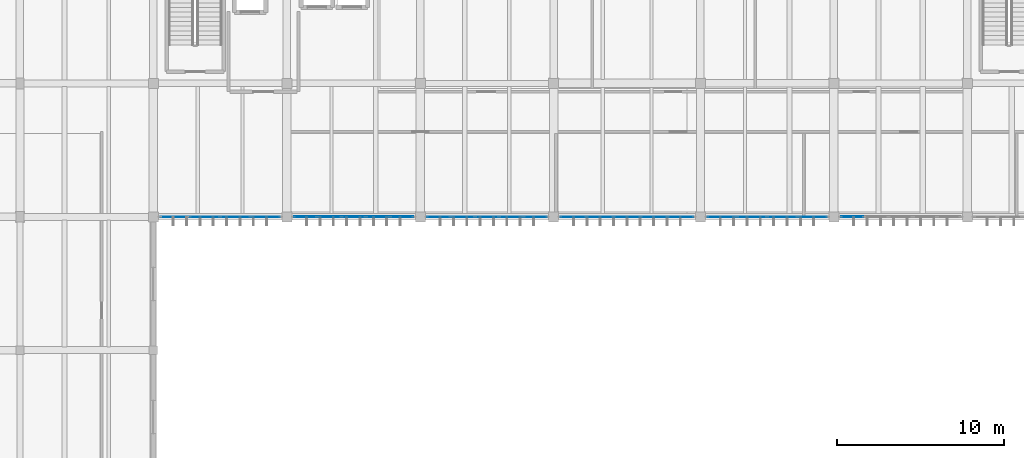
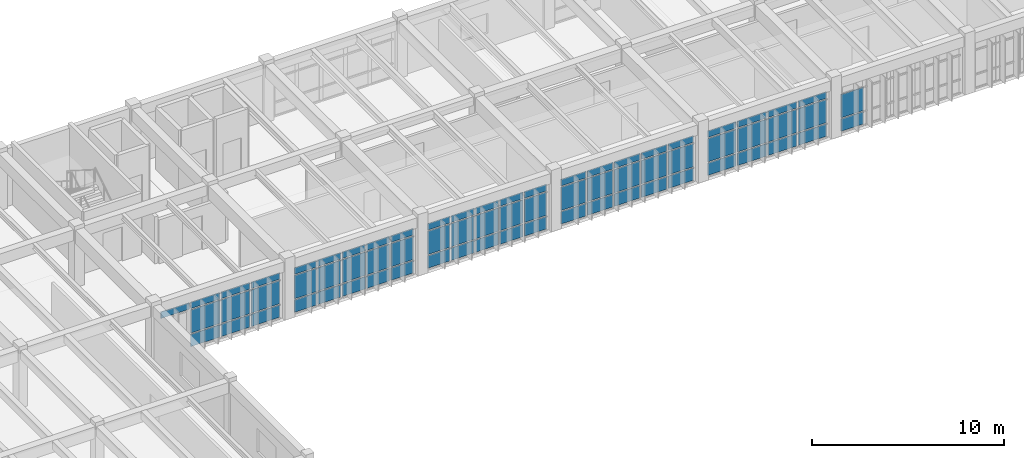
# One storey, part 12 of 22: 69 plates, 6 elements without a shape of their own.
"""IFC4 building model written with IfcOpenShell, lengths in metres."""

import ifcopenshell
import ifcopenshell.guid

model = None  # the IFC model being written
_history = None  # IfcOwnerHistory: only IFC2X3 demands one
_inside = {}  # id of a spatial element -> (the spatial element, [elements in it])
_under = {}  # id of a project, library or spatial element -> (it, [spatial elements below it])
_declared = {}  # id of a project -> (the project, [libraries it declares])
_typed = {}  # id of a type object -> (the type object, [elements of that type])
_made_of = {}  # id of a material, layer set ... -> (it, [elements and type objects made of it])


def new_model(schema):
    """Start an empty IFC model of exactly this schema.

    Asked for "IFC4X3", IfcOpenShell would pick the latest addendum, in which some entities
    have other attributes; the version numbers below select the first issue.
    IFC2X3 requires an IfcOwnerHistory on every rooted entity: one is made here for all.
    """
    global model, _history
    if schema == "IFC4X3":
        model = ifcopenshell.file(schema_version=(4, 3, 0, 0))
    else:
        model = ifcopenshell.file(schema=schema)
    _inside.clear()
    _under.clear()
    _declared.clear()
    _typed.clear()
    _made_of.clear()
    _history = None
    if model.schema == "IFC2X3":
        org = make("IfcOrganization", Name="unknown")
        user = make(
            "IfcPersonAndOrganization",
            ThePerson=make("IfcPerson", FamilyName="unknown"),
            TheOrganization=org,
        )
        app = make(
            "IfcApplication",
            ApplicationDeveloper=org,
            Version="unknown",
            ApplicationFullName="unknown",
            ApplicationIdentifier="unknown",
        )
        _history = make(
            "IfcOwnerHistory",
            OwningUser=user,
            OwningApplication=app,
            ChangeAction="ADDED",
            CreationDate=0,
        )
    return model


def make(cls, **values):
    """One entity of the class cls with the attributes given. An attribute that is None is left unset."""
    return model.create_entity(
        cls, **{name: value for name, value in values.items() if value is not None}
    )


def rooted(cls, **values):
    """An entity with a GlobalId (a new one), such as an element, a storey or a relation."""
    return make(cls, GlobalId=ifcopenshell.guid.new(), OwnerHistory=_history, **values)


def si_unit(unit_type, name, prefix=None):
    """IfcSIUnit, for example si_unit("LENGTHUNIT", "METRE", prefix="MILLI")."""
    return make("IfcSIUnit", UnitType=unit_type, Prefix=prefix, Name=name)


def assignment(units):
    """IfcUnitAssignment: the units of a project."""
    return None if units is None else make("IfcUnitAssignment", Units=units)


def point(xyz):
    """IfcCartesianPoint."""
    return None if xyz is None else make("IfcCartesianPoint", Coordinates=xyz)


def direction(xyz):
    """IfcDirection."""
    return None if xyz is None else make("IfcDirection", DirectionRatios=xyz)


def frame(location, z_axis=None, x_axis=None):
    """IfcAxis2Placement3D, a coordinate frame: its origin and axes. An axis left out is left unset."""
    return make(
        "IfcAxis2Placement3D",
        Location=point(location),
        Axis=direction(z_axis),
        RefDirection=direction(x_axis),
    )


def frame_2d(location, x_axis=None):
    """IfcAxis2Placement2D, a coordinate frame in the plane: its origin and x axis."""
    return make(
        "IfcAxis2Placement2D", Location=point(location), RefDirection=direction(x_axis)
    )


def origin():
    """The frame at (0, 0, 0) with its axes left unset."""
    return frame((0.0, 0.0, 0.0))


def origin_2d():
    """The frame at (0, 0) in the plane with its x axis left unset."""
    return frame_2d((0.0, 0.0))


def place(relative_to, where):
    """IfcLocalPlacement: puts the frame where relative to a parent placement (None: the world)."""
    return make(
        "IfcLocalPlacement", PlacementRelTo=relative_to, RelativePlacement=where
    )


def context(
    kind, dimensions, precision=None, world=None, true_north=None, identifier=None
):
    """IfcGeometricRepresentationContext, for example the 3D "Model" context."""
    return make(
        "IfcGeometricRepresentationContext",
        ContextIdentifier=identifier,
        ContextType=kind,
        CoordinateSpaceDimension=dimensions,
        Precision=precision,
        WorldCoordinateSystem=world,
        TrueNorth=true_north,
    )


def subcontext(parent, identifier, kind, view, scale=None):
    """IfcGeometricRepresentationSubContext, for example "Body" below "Model"."""
    return make(
        "IfcGeometricRepresentationSubContext",
        ContextIdentifier=identifier,
        ContextType=kind,
        ParentContext=parent,
        TargetScale=scale,
        TargetView=view,
    )


def project(units=None, contexts=None):
    """IfcProject with its units and contexts."""
    return rooted(
        "IfcProject",
        Name="project",
        RepresentationContexts=contexts,
        UnitsInContext=assignment(units),
    )


def spatial(cls, under=None, at=None, **own):
    """A site, building, storey or space (cls), placed at a placement, below another one or the project."""
    s = rooted(cls, ObjectPlacement=at, **own)
    if under is not None:
        _under.setdefault(under.id(), (under, []))[1].append(s)
    return s


def profile(cls, at=None, kind="AREA", **sizes):
    """A parametric profile (cls). Its sizes go by their IFC names, for example OverallWidth=200.0."""
    return make(cls, ProfileType=kind, Position=at, **sizes)


def rectangle(**sizes):
    """IfcRectangleProfileDef."""
    return profile("IfcRectangleProfileDef", **sizes)


def extrude(swept, where, along, depth):
    """IfcExtrudedAreaSolid: the profile swept, set in the frame where, extruded along a direction by depth."""
    return make(
        "IfcExtrudedAreaSolid",
        SweptArea=swept,
        Position=where,
        ExtrudedDirection=direction(along),
        Depth=depth,
    )


def shape(context_of_items, identifier, shape_type, items):
    """IfcShapeRepresentation: the items that make up one representation, for example the "Body"."""
    return make(
        "IfcShapeRepresentation",
        ContextOfItems=context_of_items,
        RepresentationIdentifier=identifier,
        RepresentationType=shape_type,
        Items=items,
    )


def material(Name=None, Category=None):
    """IfcMaterial."""
    return make("IfcMaterial", Name=Name, Category=Category)


def layer(
    of_material, thickness, ventilated=None, Name=None, Category=None, Priority=None
):
    """IfcMaterialLayer: one layer of a wall or slab, of a material (None: an air gap)."""
    return make(
        "IfcMaterialLayer",
        Material=of_material,
        LayerThickness=thickness,
        IsVentilated=ventilated,
        Name=Name,
        Category=Category,
        Priority=Priority,
    )


def layer_set(layers, Name=None):
    """IfcMaterialLayerSet."""
    return make("IfcMaterialLayerSet", MaterialLayers=layers, LayerSetName=Name)


def made_of(thing, what):
    """Note that an element or type object is made of a material, layer set ...; save() writes the relation."""
    if what is not None:
        _made_of.setdefault(what.id(), (what, []))[1].append(thing)
    return thing


def type_object(cls, material=None, **own):
    """A type object (cls), such as IfcWallType, which elements share."""
    return made_of(rooted(cls, **own), material)


def element(
    cls,
    number,
    at=None,
    inside=None,
    cuts=None,
    type_object=None,
    material=None,
    context=None,
    identifier="Body",
    shape_type=None,
    held_by="IfcProductDefinitionShape",
    body=None,
    shapes=None,
    **own,
):
    """One element of the class cls, such as IfcWall. Its Tag is "e" and its number.

    at: its placement. inside: the storey or other place that contains it. cuts: it is an
    opening in that element (IfcRelVoidsElement). A single representation is given by context,
    identifier, shape_type and body (its items); several are given by shapes. held_by: the class
    of the entity that holds the representations. save() writes the other relations.
    """
    e = rooted(cls, Tag="e%d" % number, ObjectPlacement=at, **own)
    if body is not None:
        shapes = [shape(context, identifier, shape_type, body)]
    if shapes is not None:
        e.Representation = make(held_by, Representations=shapes)
    if inside is not None:
        _inside.setdefault(inside.id(), (inside, []))[1].append(e)
    if cuts is not None:
        rooted(
            "IfcRelVoidsElement", RelatingBuildingElement=cuts, RelatedOpeningElement=e
        )
    if type_object is not None:
        _typed.setdefault(type_object.id(), (type_object, []))[1].append(e)
    return made_of(e, material)


def aggregate(whole, parts):
    """IfcRelAggregates: a whole, such as a stair, and the parts it consists of."""
    return rooted("IfcRelAggregates", RelatingObject=whole, RelatedObjects=parts)


def save(model, path):
    """Write the relations noted so far, then the file.

    IfcRelAggregates (storeys below a building ...), IfcRelContainedInSpatialStructure (elements
    in a storey), IfcRelDefinesByType, IfcRelAssociatesMaterial and IfcRelDeclares: one each for
    every whole, place, type object, material and project.
    """
    for whole, parts in _under.values():
        aggregate(whole, parts)
    for where, things in _inside.values():
        rooted(
            "IfcRelContainedInSpatialStructure",
            RelatedElements=things,
            RelatingStructure=where,
        )
    for kind, things in _typed.values():
        rooted("IfcRelDefinesByType", RelatedObjects=things, RelatingType=kind)
    for what, things in _made_of.values():
        rooted("IfcRelAssociatesMaterial", RelatedObjects=things, RelatingMaterial=what)
    for by, libraries in _declared.values():
        rooted("IfcRelDeclares", RelatingContext=by, RelatedDefinitions=libraries)
    model.write(path)


model = new_model("IFC4")

# Units and contexts
model_context = context("Model", 3, precision=1e-05, world=origin(), true_north=direction((0.0, 1.0)))
body_context = subcontext(model_context, "Body", "Model", "MODEL_VIEW")
ifc_project = project(units=[si_unit("LENGTHUNIT", "METRE"), si_unit("AREAUNIT", "SQUARE_METRE"), si_unit("VOLUMEUNIT", "CUBIC_METRE"), si_unit("PLANEANGLEUNIT", "RADIAN"), si_unit("MASSUNIT", "GRAM", prefix="KILO")], contexts=[model_context])

# Site, building, storey
site_placement = place(None, origin())
site = spatial("IfcSite", under=ifc_project, at=site_placement, CompositionType="ELEMENT")
building_placement = place(site_placement, origin())
building = spatial("IfcBuilding", under=site, at=building_placement, Name="Tlaxcora Railside Police Headquarters", CompositionType="ELEMENT")
storey_placement = place(building_placement, frame((0.0, 0.0, 21.89990234375)))
storey = spatial("IfcBuildingStorey", under=building, at=storey_placement, Name="L05", CompositionType="ELEMENT", Elevation=21.89990234375)

# Curtain wall, plates
ifc_material = material(Name="Thermally broken low-E insulated glazing", Category="glass")
curtain_wall_type_1 = type_object("IfcCurtainWallType", Name="Unitised Curtain Wall Assembly CW-23", PredefinedType="NOTDEFINED", material=ifc_material)
curtain_wall_1_placement = place(storey_placement, origin())
curtain_wall_1 = element("IfcCurtainWall", 1, at=curtain_wall_1_placement, inside=storey, type_object=curtain_wall_type_1, Name="V5 L05 curtain wall 108", PredefinedType="NOTDEFINED")
ifc_layer_1 = layer(ifc_material, 0.0400390625, Name="Thermally broken low-E insulated glazing")
ifc_layer_set_1 = layer_set([ifc_layer_1], Name="Thermally broken low-E insulated glazing")
plate_type_1 = type_object("IfcPlateType", Name="Curtain Wall Infill Panel CW-17", PredefinedType="CURTAIN_PANEL", material=ifc_layer_set_1)
plate_1_placement = place(storey_placement, frame((30.300048828125, 76.800048828125, 0.080078125), z_axis=(0.0, 0.0, 1.0), x_axis=(1.0, 0.0, 0.0)))
plate_1 = element("IfcPlate", 2, at=plate_1_placement, type_object=plate_type_1, Name="CW panel 1.1", PredefinedType="CURTAIN_PANEL", context=body_context, shape_type="SweptSolid", body=[
    extrude(rectangle(XDim=1.340087890625, YDim=0.0400390625, at=origin_2d()), origin(), (0.0, 0.0, 1.0), 0.780029296875),
])
plate_2_placement = place(storey_placement, frame((30.300048828125, 76.800048828125, 0.93994140625), z_axis=(0.0, 0.0, 1.0), x_axis=(1.0, 0.0, 0.0)))
plate_2 = element("IfcPlate", 3, at=plate_2_placement, type_object=plate_type_1, Name="CW panel 1.2", PredefinedType="CURTAIN_PANEL", context=body_context, shape_type="SweptSolid", body=[
    extrude(rectangle(XDim=1.340087890625, YDim=0.0400390625, at=origin_2d()), origin(), (0.0, 0.0, 1.0), 1.469970703125),
])
plate_3_placement = place(storey_placement, frame((30.300048828125, 76.800048828125, 2.490234375), z_axis=(0.0, 0.0, 1.0), x_axis=(1.0, 0.0, 0.0)))
plate_3 = element("IfcPlate", 4, at=plate_3_placement, type_object=plate_type_1, Name="CW panel 1.3", PredefinedType="CURTAIN_PANEL", context=body_context, shape_type="SweptSolid", body=[
    extrude(rectangle(XDim=1.340087890625, YDim=0.0400390625, at=origin_2d()), origin(), (0.0, 0.0, 1.0), 0.409912109375),
])
plate_4_placement = place(storey_placement, frame((31.739990234375, 76.800048828125, 0.080078125), z_axis=(0.0, 0.0, 1.0), x_axis=(1.0, 0.0, 0.0)))
plate_4 = element("IfcPlate", 5, at=plate_4_placement, type_object=plate_type_1, Name="CW panel 2.1", PredefinedType="CURTAIN_PANEL", context=body_context, shape_type="SweptSolid", body=[
    extrude(rectangle(XDim=1.3798828125, YDim=0.0400390625, at=origin_2d()), origin(), (0.0, 0.0, 1.0), 0.780029296875),
])
plate_5_placement = place(storey_placement, frame((31.739990234375, 76.800048828125, 0.93994140625), z_axis=(0.0, 0.0, 1.0), x_axis=(1.0, 0.0, 0.0)))
plate_5 = element("IfcPlate", 6, at=plate_5_placement, type_object=plate_type_1, Name="CW panel 2.2", PredefinedType="CURTAIN_PANEL", context=body_context, shape_type="SweptSolid", body=[
    extrude(rectangle(XDim=1.3798828125, YDim=0.0400390625, at=origin_2d()), origin(), (0.0, 0.0, 1.0), 1.469970703125),
])
plate_6_placement = place(storey_placement, frame((31.739990234375, 76.800048828125, 2.490234375), z_axis=(0.0, 0.0, 1.0), x_axis=(1.0, 0.0, 0.0)))
plate_6 = element("IfcPlate", 7, at=plate_6_placement, type_object=plate_type_1, Name="CW panel 2.3", PredefinedType="CURTAIN_PANEL", context=body_context, shape_type="SweptSolid", body=[
    extrude(rectangle(XDim=1.3798828125, YDim=0.0400390625, at=origin_2d()), origin(), (0.0, 0.0, 1.0), 0.409912109375),
])
plate_7_placement = place(storey_placement, frame((33.199951171875, 76.800048828125, 0.080078125), z_axis=(0.0, 0.0, 1.0), x_axis=(1.0, 0.0, 0.0)))
plate_7 = element("IfcPlate", 8, at=plate_7_placement, type_object=plate_type_1, Name="CW panel 3.1", PredefinedType="CURTAIN_PANEL", context=body_context, shape_type="SweptSolid", body=[
    extrude(rectangle(XDim=1.3798828125, YDim=0.0400390625, at=origin_2d()), origin(), (0.0, 0.0, 1.0), 0.780029296875),
])
plate_8_placement = place(storey_placement, frame((33.199951171875, 76.800048828125, 0.93994140625), z_axis=(0.0, 0.0, 1.0), x_axis=(1.0, 0.0, 0.0)))
plate_8 = element("IfcPlate", 9, at=plate_8_placement, type_object=plate_type_1, Name="CW panel 3.2", PredefinedType="CURTAIN_PANEL", context=body_context, shape_type="SweptSolid", body=[
    extrude(rectangle(XDim=1.3798828125, YDim=0.0400390625, at=origin_2d()), origin(), (0.0, 0.0, 1.0), 1.469970703125),
])
plate_9_placement = place(storey_placement, frame((33.199951171875, 76.800048828125, 2.490234375), z_axis=(0.0, 0.0, 1.0), x_axis=(1.0, 0.0, 0.0)))
plate_9 = element("IfcPlate", 10, at=plate_9_placement, type_object=plate_type_1, Name="CW panel 3.3", PredefinedType="CURTAIN_PANEL", context=body_context, shape_type="SweptSolid", body=[
    extrude(rectangle(XDim=1.3798828125, YDim=0.0400390625, at=origin_2d()), origin(), (0.0, 0.0, 1.0), 0.409912109375),
])
plate_10_placement = place(storey_placement, frame((34.659912109375, 76.800048828125, 0.080078125), z_axis=(0.0, 0.0, 1.0), x_axis=(1.0, 0.0, 0.0)))
plate_10 = element("IfcPlate", 11, at=plate_10_placement, type_object=plate_type_1, Name="CW panel 4.1", PredefinedType="CURTAIN_PANEL", context=body_context, shape_type="SweptSolid", body=[
    extrude(rectangle(XDim=1.3798828125, YDim=0.0400390625, at=origin_2d()), origin(), (0.0, 0.0, 1.0), 0.780029296875),
])
plate_11_placement = place(storey_placement, frame((34.659912109375, 76.800048828125, 0.93994140625), z_axis=(0.0, 0.0, 1.0), x_axis=(1.0, 0.0, 0.0)))
plate_11 = element("IfcPlate", 12, at=plate_11_placement, type_object=plate_type_1, Name="CW panel 4.2", PredefinedType="CURTAIN_PANEL", context=body_context, shape_type="SweptSolid", body=[
    extrude(rectangle(XDim=1.3798828125, YDim=0.0400390625, at=origin_2d()), origin(), (0.0, 0.0, 1.0), 1.469970703125),
])
plate_12_placement = place(storey_placement, frame((34.659912109375, 76.800048828125, 2.490234375), z_axis=(0.0, 0.0, 1.0), x_axis=(1.0, 0.0, 0.0)))
plate_12 = element("IfcPlate", 13, at=plate_12_placement, type_object=plate_type_1, Name="CW panel 4.3", PredefinedType="CURTAIN_PANEL", context=body_context, shape_type="SweptSolid", body=[
    extrude(rectangle(XDim=1.3798828125, YDim=0.0400390625, at=origin_2d()), origin(), (0.0, 0.0, 1.0), 0.409912109375),
])
plate_13_placement = place(storey_placement, frame((36.10009765625, 76.800048828125, 0.080078125), z_axis=(0.0, 0.0, 1.0), x_axis=(1.0, 0.0, 0.0)))
plate_13 = element("IfcPlate", 14, at=plate_13_placement, type_object=plate_type_1, Name="CW panel 5.1", PredefinedType="CURTAIN_PANEL", context=body_context, shape_type="SweptSolid", body=[
    extrude(rectangle(XDim=1.340087890625, YDim=0.0400390625, at=origin_2d()), origin(), (0.0, 0.0, 1.0), 0.780029296875),
])
plate_14_placement = place(storey_placement, frame((36.10009765625, 76.800048828125, 0.93994140625), z_axis=(0.0, 0.0, 1.0), x_axis=(1.0, 0.0, 0.0)))
plate_14 = element("IfcPlate", 15, at=plate_14_placement, type_object=plate_type_1, Name="CW panel 5.2", PredefinedType="CURTAIN_PANEL", context=body_context, shape_type="SweptSolid", body=[
    extrude(rectangle(XDim=1.340087890625, YDim=0.0400390625, at=origin_2d()), origin(), (0.0, 0.0, 1.0), 1.469970703125),
])
plate_15_placement = place(storey_placement, frame((36.10009765625, 76.800048828125, 2.490234375), z_axis=(0.0, 0.0, 1.0), x_axis=(1.0, 0.0, 0.0)))
plate_15 = element("IfcPlate", 16, at=plate_15_placement, type_object=plate_type_1, Name="CW panel 5.3", PredefinedType="CURTAIN_PANEL", context=body_context, shape_type="SweptSolid", body=[
    extrude(rectangle(XDim=1.340087890625, YDim=0.0400390625, at=origin_2d()), origin(), (0.0, 0.0, 1.0), 0.409912109375),
])
aggregate(curtain_wall_1, [plate_1, plate_2, plate_3, plate_4, plate_5, plate_6, plate_7, plate_8, plate_9, plate_10, plate_11, plate_12, plate_13, plate_14, plate_15])

curtain_wall_2_placement = place(storey_placement, origin())
curtain_wall_2 = element("IfcCurtainWall", 17, at=curtain_wall_2_placement, inside=storey, type_object=curtain_wall_type_1, Name="V5 L05 curtain wall 112", PredefinedType="NOTDEFINED")
plate_16_placement = place(storey_placement, frame((63.10009765625, 76.800048828125, 0.080078125), z_axis=(0.0, 0.0, 1.0), x_axis=(1.0, 0.0, 0.0)))
plate_16 = element("IfcPlate", 18, at=plate_16_placement, type_object=plate_type_1, Name="CW panel 1.1", PredefinedType="CURTAIN_PANEL", context=body_context, shape_type="SweptSolid", body=[
    extrude(rectangle(XDim=1.340087890625, YDim=0.0400390625, at=origin_2d()), origin(), (0.0, 0.0, 1.0), 0.780029296875),
])
plate_17_placement = place(storey_placement, frame((63.10009765625, 76.800048828125, 0.93994140625), z_axis=(0.0, 0.0, 1.0), x_axis=(1.0, 0.0, 0.0)))
plate_17 = element("IfcPlate", 19, at=plate_17_placement, type_object=plate_type_1, Name="CW panel 1.2", PredefinedType="CURTAIN_PANEL", context=body_context, shape_type="SweptSolid", body=[
    extrude(rectangle(XDim=1.340087890625, YDim=0.0400390625, at=origin_2d()), origin(), (0.0, 0.0, 1.0), 1.469970703125),
])
aggregate(curtain_wall_2, [plate_16, plate_17])

curtain_wall_type_2 = type_object("IfcCurtainWallType", Name="Unitised Curtain Wall Assembly CW-15", PredefinedType="NOTDEFINED", material=ifc_material)
curtain_wall_3_placement = place(storey_placement, origin())
curtain_wall_3 = element("IfcCurtainWall", 20, at=curtain_wall_3_placement, inside=storey, type_object=curtain_wall_type_2, Name="V5 L05 curtain wall 110", PredefinedType="NOTDEFINED")
ifc_layer_2 = layer(ifc_material, 0.031982421875, Name="Thermally broken low-E insulated glazing")
ifc_layer_set_2 = layer_set([ifc_layer_2], Name="Thermally broken low-E insulated glazing")
plate_type_2 = type_object("IfcPlateType", Name="Curtain Wall Infill Panel CW-41", PredefinedType="CURTAIN_PANEL", material=ifc_layer_set_2)
plate_18_placement = place(storey_placement, frame((46.378662109375, 76.800048828125, 0.074951171875), z_axis=(0.0, 0.0, 1.0), x_axis=(1.0, 0.0, 0.0)))
plate_18 = element("IfcPlate", 21, at=plate_18_placement, type_object=plate_type_2, Name="CW panel 1.1", PredefinedType="CURTAIN_PANEL", context=body_context, shape_type="SweptSolid", body=[
    extrude(rectangle(XDim=1.507568359375, YDim=0.031982421875, at=origin_2d()), origin(), (0.0, 0.0, 1.0), 0.78759765625),
])
plate_19_placement = place(storey_placement, frame((46.378662109375, 76.800048828125, 0.9375), z_axis=(0.0, 0.0, 1.0), x_axis=(1.0, 0.0, 0.0)))
plate_19 = element("IfcPlate", 22, at=plate_19_placement, type_object=plate_type_2, Name="CW panel 1.2", PredefinedType="CURTAIN_PANEL", context=body_context, shape_type="SweptSolid", body=[
    extrude(rectangle(XDim=1.507568359375, YDim=0.031982421875, at=origin_2d()), origin(), (0.0, 0.0, 1.0), 1.47509765625),
])
plate_20_placement = place(storey_placement, frame((46.378662109375, 76.800048828125, 2.487548828125), z_axis=(0.0, 0.0, 1.0), x_axis=(1.0, 0.0, 0.0)))
plate_20 = element("IfcPlate", 23, at=plate_20_placement, type_object=plate_type_2, Name="CW panel 1.3", PredefinedType="CURTAIN_PANEL", context=body_context, shape_type="SweptSolid", body=[
    extrude(rectangle(XDim=1.507568359375, YDim=0.031982421875, at=origin_2d()), origin(), (0.0, 0.0, 1.0), 0.41748046875),
])
plate_21_placement = place(storey_placement, frame((47.97998046875, 76.800048828125, 0.074951171875), z_axis=(0.0, 0.0, 1.0), x_axis=(1.0, 0.0, 0.0)))
plate_21 = element("IfcPlate", 24, at=plate_21_placement, type_object=plate_type_2, Name="CW panel 2.1", PredefinedType="CURTAIN_PANEL", context=body_context, shape_type="SweptSolid", body=[
    extrude(rectangle(XDim=1.544921875, YDim=0.031982421875, at=origin_2d()), origin(), (0.0, 0.0, 1.0), 0.78759765625),
])
plate_22_placement = place(storey_placement, frame((47.97998046875, 76.800048828125, 0.9375), z_axis=(0.0, 0.0, 1.0), x_axis=(1.0, 0.0, 0.0)))
plate_22 = element("IfcPlate", 25, at=plate_22_placement, type_object=plate_type_2, Name="CW panel 2.2", PredefinedType="CURTAIN_PANEL", context=body_context, shape_type="SweptSolid", body=[
    extrude(rectangle(XDim=1.544921875, YDim=0.031982421875, at=origin_2d()), origin(), (0.0, 0.0, 1.0), 1.47509765625),
])
plate_23_placement = place(storey_placement, frame((47.97998046875, 76.800048828125, 2.487548828125), z_axis=(0.0, 0.0, 1.0), x_axis=(1.0, 0.0, 0.0)))
plate_23 = element("IfcPlate", 26, at=plate_23_placement, type_object=plate_type_2, Name="CW panel 2.3", PredefinedType="CURTAIN_PANEL", context=body_context, shape_type="SweptSolid", body=[
    extrude(rectangle(XDim=1.544921875, YDim=0.031982421875, at=origin_2d()), origin(), (0.0, 0.0, 1.0), 0.41748046875),
])
plate_24_placement = place(storey_placement, frame((49.60009765625, 76.800048828125, 0.074951171875), z_axis=(0.0, 0.0, 1.0), x_axis=(1.0, 0.0, 0.0)))
plate_24 = element("IfcPlate", 27, at=plate_24_placement, type_object=plate_type_2, Name="CW panel 3.1", PredefinedType="CURTAIN_PANEL", context=body_context, shape_type="SweptSolid", body=[
    extrude(rectangle(XDim=1.544921875, YDim=0.031982421875, at=origin_2d()), origin(), (0.0, 0.0, 1.0), 0.78759765625),
])
plate_25_placement = place(storey_placement, frame((49.60009765625, 76.800048828125, 0.9375), z_axis=(0.0, 0.0, 1.0), x_axis=(1.0, 0.0, 0.0)))
plate_25 = element("IfcPlate", 28, at=plate_25_placement, type_object=plate_type_2, Name="CW panel 3.2", PredefinedType="CURTAIN_PANEL", context=body_context, shape_type="SweptSolid", body=[
    extrude(rectangle(XDim=1.544921875, YDim=0.031982421875, at=origin_2d()), origin(), (0.0, 0.0, 1.0), 1.47509765625),
])
plate_26_placement = place(storey_placement, frame((49.60009765625, 76.800048828125, 2.487548828125), z_axis=(0.0, 0.0, 1.0), x_axis=(1.0, 0.0, 0.0)))
plate_26 = element("IfcPlate", 29, at=plate_26_placement, type_object=plate_type_2, Name="CW panel 3.3", PredefinedType="CURTAIN_PANEL", context=body_context, shape_type="SweptSolid", body=[
    extrude(rectangle(XDim=1.544921875, YDim=0.031982421875, at=origin_2d()), origin(), (0.0, 0.0, 1.0), 0.41748046875),
])
plate_27_placement = place(storey_placement, frame((51.219970703125, 76.800048828125, 0.074951171875), z_axis=(0.0, 0.0, 1.0), x_axis=(1.0, 0.0, 0.0)))
plate_27 = element("IfcPlate", 30, at=plate_27_placement, type_object=plate_type_2, Name="CW panel 4.1", PredefinedType="CURTAIN_PANEL", context=body_context, shape_type="SweptSolid", body=[
    extrude(rectangle(XDim=1.544921875, YDim=0.031982421875, at=origin_2d()), origin(), (0.0, 0.0, 1.0), 0.78759765625),
])
plate_28_placement = place(storey_placement, frame((51.219970703125, 76.800048828125, 0.9375), z_axis=(0.0, 0.0, 1.0), x_axis=(1.0, 0.0, 0.0)))
plate_28 = element("IfcPlate", 31, at=plate_28_placement, type_object=plate_type_2, Name="CW panel 4.2", PredefinedType="CURTAIN_PANEL", context=body_context, shape_type="SweptSolid", body=[
    extrude(rectangle(XDim=1.544921875, YDim=0.031982421875, at=origin_2d()), origin(), (0.0, 0.0, 1.0), 1.47509765625),
])
plate_29_placement = place(storey_placement, frame((51.219970703125, 76.800048828125, 2.487548828125), z_axis=(0.0, 0.0, 1.0), x_axis=(1.0, 0.0, 0.0)))
plate_29 = element("IfcPlate", 32, at=plate_29_placement, type_object=plate_type_2, Name="CW panel 4.3", PredefinedType="CURTAIN_PANEL", context=body_context, shape_type="SweptSolid", body=[
    extrude(rectangle(XDim=1.544921875, YDim=0.031982421875, at=origin_2d()), origin(), (0.0, 0.0, 1.0), 0.41748046875),
])
plate_30_placement = place(storey_placement, frame((52.8212890625, 76.800048828125, 0.074951171875), z_axis=(0.0, 0.0, 1.0), x_axis=(1.0, 0.0, 0.0)))
plate_30 = element("IfcPlate", 33, at=plate_30_placement, type_object=plate_type_2, Name="CW panel 5.1", PredefinedType="CURTAIN_PANEL", context=body_context, shape_type="SweptSolid", body=[
    extrude(rectangle(XDim=1.507568359375, YDim=0.031982421875, at=origin_2d()), origin(), (0.0, 0.0, 1.0), 0.78759765625),
])
plate_31_placement = place(storey_placement, frame((52.8212890625, 76.800048828125, 0.9375), z_axis=(0.0, 0.0, 1.0), x_axis=(1.0, 0.0, 0.0)))
plate_31 = element("IfcPlate", 34, at=plate_31_placement, type_object=plate_type_2, Name="CW panel 5.2", PredefinedType="CURTAIN_PANEL", context=body_context, shape_type="SweptSolid", body=[
    extrude(rectangle(XDim=1.507568359375, YDim=0.031982421875, at=origin_2d()), origin(), (0.0, 0.0, 1.0), 1.47509765625),
])
plate_32_placement = place(storey_placement, frame((52.8212890625, 76.800048828125, 2.487548828125), z_axis=(0.0, 0.0, 1.0), x_axis=(1.0, 0.0, 0.0)))
plate_32 = element("IfcPlate", 35, at=plate_32_placement, type_object=plate_type_2, Name="CW panel 5.3", PredefinedType="CURTAIN_PANEL", context=body_context, shape_type="SweptSolid", body=[
    extrude(rectangle(XDim=1.507568359375, YDim=0.031982421875, at=origin_2d()), origin(), (0.0, 0.0, 1.0), 0.41748046875),
])
aggregate(curtain_wall_3, [plate_18, plate_19, plate_20, plate_21, plate_22, plate_23, plate_24, plate_25, plate_26, plate_27, plate_28, plate_29, plate_30, plate_31, plate_32])

curtain_wall_type_3 = type_object("IfcCurtainWallType", Name="Unitised Curtain Wall Assembly CW-83", PredefinedType="NOTDEFINED", material=ifc_material)
curtain_wall_4_placement = place(storey_placement, origin())
curtain_wall_4 = element("IfcCurtainWall", 36, at=curtain_wall_4_placement, inside=storey, type_object=curtain_wall_type_3, Name="V5 L05 curtain wall 107", PredefinedType="NOTDEFINED")
ifc_layer_3 = layer(ifc_material, 0.035888671875, Name="Thermally broken low-E insulated glazing")
ifc_layer_set_3 = layer_set([ifc_layer_3], Name="Thermally broken low-E insulated glazing")
plate_type_3 = type_object("IfcPlateType", Name="Curtain Wall Infill Panel CW-72", PredefinedType="CURTAIN_PANEL", material=ifc_layer_set_3)
plate_33_placement = place(storey_placement, frame((22.482421875, 76.800048828125, 2.490234375), z_axis=(0.0, 0.0, 1.0), x_axis=(1.0, 0.0, 0.0)))
plate_33 = element("IfcPlate", 37, at=plate_33_placement, type_object=plate_type_3, Name="CW panel 1.3", PredefinedType="CURTAIN_PANEL", context=body_context, shape_type="SweptSolid", body=[
    extrude(rectangle(XDim=1.705078125, YDim=0.035888671875, at=origin_2d()), origin(), (0.0, 0.0, 1.0), 0.409912109375),
])
plate_34_placement = place(storey_placement, frame((24.28759765625, 76.800048828125, 0.080078125), z_axis=(0.0, 0.0, 1.0), x_axis=(1.0, 0.0, 0.0)))
plate_34 = element("IfcPlate", 38, at=plate_34_placement, type_object=plate_type_3, Name="CW panel 2.1", PredefinedType="CURTAIN_PANEL", context=body_context, shape_type="SweptSolid", body=[
    extrude(rectangle(XDim=1.7451171875, YDim=0.035888671875, at=origin_2d()), origin(), (0.0, 0.0, 1.0), 0.780029296875),
])
plate_35_placement = place(storey_placement, frame((24.28759765625, 76.800048828125, 0.93994140625), z_axis=(0.0, 0.0, 1.0), x_axis=(1.0, 0.0, 0.0)))
plate_35 = element("IfcPlate", 39, at=plate_35_placement, type_object=plate_type_3, Name="CW panel 2.2", PredefinedType="CURTAIN_PANEL", context=body_context, shape_type="SweptSolid", body=[
    extrude(rectangle(XDim=1.7451171875, YDim=0.035888671875, at=origin_2d()), origin(), (0.0, 0.0, 1.0), 1.469970703125),
])
plate_36_placement = place(storey_placement, frame((24.28759765625, 76.800048828125, 2.490234375), z_axis=(0.0, 0.0, 1.0), x_axis=(1.0, 0.0, 0.0)))
plate_36 = element("IfcPlate", 40, at=plate_36_placement, type_object=plate_type_3, Name="CW panel 2.3", PredefinedType="CURTAIN_PANEL", context=body_context, shape_type="SweptSolid", body=[
    extrude(rectangle(XDim=1.7451171875, YDim=0.035888671875, at=origin_2d()), origin(), (0.0, 0.0, 1.0), 0.409912109375),
])
plate_37_placement = place(storey_placement, frame((26.112548828125, 76.800048828125, 0.080078125), z_axis=(0.0, 0.0, 1.0), x_axis=(1.0, 0.0, 0.0)))
plate_37 = element("IfcPlate", 41, at=plate_37_placement, type_object=plate_type_3, Name="CW panel 3.1", PredefinedType="CURTAIN_PANEL", context=body_context, shape_type="SweptSolid", body=[
    extrude(rectangle(XDim=1.7451171875, YDim=0.035888671875, at=origin_2d()), origin(), (0.0, 0.0, 1.0), 0.780029296875),
])
plate_38_placement = place(storey_placement, frame((26.112548828125, 76.800048828125, 0.93994140625), z_axis=(0.0, 0.0, 1.0), x_axis=(1.0, 0.0, 0.0)))
plate_38 = element("IfcPlate", 42, at=plate_38_placement, type_object=plate_type_3, Name="CW panel 3.2", PredefinedType="CURTAIN_PANEL", context=body_context, shape_type="SweptSolid", body=[
    extrude(rectangle(XDim=1.7451171875, YDim=0.035888671875, at=origin_2d()), origin(), (0.0, 0.0, 1.0), 1.469970703125),
])
plate_39_placement = place(storey_placement, frame((26.112548828125, 76.800048828125, 2.490234375), z_axis=(0.0, 0.0, 1.0), x_axis=(1.0, 0.0, 0.0)))
plate_39 = element("IfcPlate", 43, at=plate_39_placement, type_object=plate_type_3, Name="CW panel 3.3", PredefinedType="CURTAIN_PANEL", context=body_context, shape_type="SweptSolid", body=[
    extrude(rectangle(XDim=1.7451171875, YDim=0.035888671875, at=origin_2d()), origin(), (0.0, 0.0, 1.0), 0.409912109375),
])
plate_40_placement = place(storey_placement, frame((27.91748046875, 76.800048828125, 0.080078125), z_axis=(0.0, 0.0, 1.0), x_axis=(1.0, 0.0, 0.0)))
plate_40 = element("IfcPlate", 44, at=plate_40_placement, type_object=plate_type_3, Name="CW panel 4.1", PredefinedType="CURTAIN_PANEL", context=body_context, shape_type="SweptSolid", body=[
    extrude(rectangle(XDim=1.705078125, YDim=0.035888671875, at=origin_2d()), origin(), (0.0, 0.0, 1.0), 0.780029296875),
])
plate_41_placement = place(storey_placement, frame((27.91748046875, 76.800048828125, 0.93994140625), z_axis=(0.0, 0.0, 1.0), x_axis=(1.0, 0.0, 0.0)))
plate_41 = element("IfcPlate", 45, at=plate_41_placement, type_object=plate_type_3, Name="CW panel 4.2", PredefinedType="CURTAIN_PANEL", context=body_context, shape_type="SweptSolid", body=[
    extrude(rectangle(XDim=1.705078125, YDim=0.035888671875, at=origin_2d()), origin(), (0.0, 0.0, 1.0), 1.469970703125),
])
plate_42_placement = place(storey_placement, frame((27.91748046875, 76.800048828125, 2.490234375), z_axis=(0.0, 0.0, 1.0), x_axis=(1.0, 0.0, 0.0)))
plate_42 = element("IfcPlate", 46, at=plate_42_placement, type_object=plate_type_3, Name="CW panel 4.3", PredefinedType="CURTAIN_PANEL", context=body_context, shape_type="SweptSolid", body=[
    extrude(rectangle(XDim=1.705078125, YDim=0.035888671875, at=origin_2d()), origin(), (0.0, 0.0, 1.0), 0.409912109375),
])
aggregate(curtain_wall_4, [plate_33, plate_34, plate_35, plate_36, plate_37, plate_38, plate_39, plate_40, plate_41, plate_42])

curtain_wall_5_placement = place(storey_placement, origin())
curtain_wall_5 = element("IfcCurtainWall", 47, at=curtain_wall_5_placement, inside=storey, type_object=curtain_wall_type_3, Name="V5 L05 curtain wall 111", PredefinedType="NOTDEFINED")
plate_43_placement = place(storey_placement, frame((55.282470703125, 76.800048828125, 0.080078125), z_axis=(0.0, 0.0, 1.0), x_axis=(1.0, 0.0, 0.0)))
plate_43 = element("IfcPlate", 48, at=plate_43_placement, type_object=plate_type_3, Name="CW panel 1.1", PredefinedType="CURTAIN_PANEL", context=body_context, shape_type="SweptSolid", body=[
    extrude(rectangle(XDim=1.705078125, YDim=0.035888671875, at=origin_2d()), origin(), (0.0, 0.0, 1.0), 0.780029296875),
])
plate_44_placement = place(storey_placement, frame((55.282470703125, 76.800048828125, 0.93994140625), z_axis=(0.0, 0.0, 1.0), x_axis=(1.0, 0.0, 0.0)))
plate_44 = element("IfcPlate", 49, at=plate_44_placement, type_object=plate_type_3, Name="CW panel 1.2", PredefinedType="CURTAIN_PANEL", context=body_context, shape_type="SweptSolid", body=[
    extrude(rectangle(XDim=1.705078125, YDim=0.035888671875, at=origin_2d()), origin(), (0.0, 0.0, 1.0), 1.469970703125),
])
plate_45_placement = place(storey_placement, frame((55.282470703125, 76.800048828125, 2.490234375), z_axis=(0.0, 0.0, 1.0), x_axis=(1.0, 0.0, 0.0)))
plate_45 = element("IfcPlate", 50, at=plate_45_placement, type_object=plate_type_3, Name="CW panel 1.3", PredefinedType="CURTAIN_PANEL", context=body_context, shape_type="SweptSolid", body=[
    extrude(rectangle(XDim=1.705078125, YDim=0.035888671875, at=origin_2d()), origin(), (0.0, 0.0, 1.0), 0.409912109375),
])
plate_46_placement = place(storey_placement, frame((57.08740234375, 76.800048828125, 0.080078125), z_axis=(0.0, 0.0, 1.0), x_axis=(1.0, 0.0, 0.0)))
plate_46 = element("IfcPlate", 51, at=plate_46_placement, type_object=plate_type_3, Name="CW panel 2.1", PredefinedType="CURTAIN_PANEL", context=body_context, shape_type="SweptSolid", body=[
    extrude(rectangle(XDim=1.7451171875, YDim=0.035888671875, at=origin_2d()), origin(), (0.0, 0.0, 1.0), 0.780029296875),
])
plate_47_placement = place(storey_placement, frame((57.08740234375, 76.800048828125, 0.93994140625), z_axis=(0.0, 0.0, 1.0), x_axis=(1.0, 0.0, 0.0)))
plate_47 = element("IfcPlate", 52, at=plate_47_placement, type_object=plate_type_3, Name="CW panel 2.2", PredefinedType="CURTAIN_PANEL", context=body_context, shape_type="SweptSolid", body=[
    extrude(rectangle(XDim=1.7451171875, YDim=0.035888671875, at=origin_2d()), origin(), (0.0, 0.0, 1.0), 1.469970703125),
])
plate_48_placement = place(storey_placement, frame((57.08740234375, 76.800048828125, 2.490234375), z_axis=(0.0, 0.0, 1.0), x_axis=(1.0, 0.0, 0.0)))
plate_48 = element("IfcPlate", 53, at=plate_48_placement, type_object=plate_type_3, Name="CW panel 2.3", PredefinedType="CURTAIN_PANEL", context=body_context, shape_type="SweptSolid", body=[
    extrude(rectangle(XDim=1.7451171875, YDim=0.035888671875, at=origin_2d()), origin(), (0.0, 0.0, 1.0), 0.409912109375),
])
plate_49_placement = place(storey_placement, frame((58.91259765625, 76.800048828125, 0.080078125), z_axis=(0.0, 0.0, 1.0), x_axis=(1.0, 0.0, 0.0)))
plate_49 = element("IfcPlate", 54, at=plate_49_placement, type_object=plate_type_3, Name="CW panel 3.1", PredefinedType="CURTAIN_PANEL", context=body_context, shape_type="SweptSolid", body=[
    extrude(rectangle(XDim=1.7451171875, YDim=0.035888671875, at=origin_2d()), origin(), (0.0, 0.0, 1.0), 0.780029296875),
])
plate_50_placement = place(storey_placement, frame((58.91259765625, 76.800048828125, 0.93994140625), z_axis=(0.0, 0.0, 1.0), x_axis=(1.0, 0.0, 0.0)))
plate_50 = element("IfcPlate", 55, at=plate_50_placement, type_object=plate_type_3, Name="CW panel 3.2", PredefinedType="CURTAIN_PANEL", context=body_context, shape_type="SweptSolid", body=[
    extrude(rectangle(XDim=1.7451171875, YDim=0.035888671875, at=origin_2d()), origin(), (0.0, 0.0, 1.0), 1.469970703125),
])
plate_51_placement = place(storey_placement, frame((58.91259765625, 76.800048828125, 2.490234375), z_axis=(0.0, 0.0, 1.0), x_axis=(1.0, 0.0, 0.0)))
plate_51 = element("IfcPlate", 56, at=plate_51_placement, type_object=plate_type_3, Name="CW panel 3.3", PredefinedType="CURTAIN_PANEL", context=body_context, shape_type="SweptSolid", body=[
    extrude(rectangle(XDim=1.7451171875, YDim=0.035888671875, at=origin_2d()), origin(), (0.0, 0.0, 1.0), 0.409912109375),
])
plate_52_placement = place(storey_placement, frame((60.717529296875, 76.800048828125, 0.080078125), z_axis=(0.0, 0.0, 1.0), x_axis=(1.0, 0.0, 0.0)))
plate_52 = element("IfcPlate", 57, at=plate_52_placement, type_object=plate_type_3, Name="CW panel 4.1", PredefinedType="CURTAIN_PANEL", context=body_context, shape_type="SweptSolid", body=[
    extrude(rectangle(XDim=1.705078125, YDim=0.035888671875, at=origin_2d()), origin(), (0.0, 0.0, 1.0), 0.780029296875),
])
plate_53_placement = place(storey_placement, frame((60.717529296875, 76.800048828125, 0.93994140625), z_axis=(0.0, 0.0, 1.0), x_axis=(1.0, 0.0, 0.0)))
plate_53 = element("IfcPlate", 58, at=plate_53_placement, type_object=plate_type_3, Name="CW panel 4.2", PredefinedType="CURTAIN_PANEL", context=body_context, shape_type="SweptSolid", body=[
    extrude(rectangle(XDim=1.705078125, YDim=0.035888671875, at=origin_2d()), origin(), (0.0, 0.0, 1.0), 1.469970703125),
])
plate_54_placement = place(storey_placement, frame((60.717529296875, 76.800048828125, 2.490234375), z_axis=(0.0, 0.0, 1.0), x_axis=(1.0, 0.0, 0.0)))
plate_54 = element("IfcPlate", 59, at=plate_54_placement, type_object=plate_type_3, Name="CW panel 4.3", PredefinedType="CURTAIN_PANEL", context=body_context, shape_type="SweptSolid", body=[
    extrude(rectangle(XDim=1.705078125, YDim=0.035888671875, at=origin_2d()), origin(), (0.0, 0.0, 1.0), 0.409912109375),
])
aggregate(curtain_wall_5, [plate_43, plate_44, plate_45, plate_46, plate_47, plate_48, plate_49, plate_50, plate_51, plate_52, plate_53, plate_54])

curtain_wall_type_4 = type_object("IfcCurtainWallType", Name="Unitised Curtain Wall Assembly CW-38", PredefinedType="NOTDEFINED", material=ifc_material)
curtain_wall_6_placement = place(storey_placement, origin())
curtain_wall_6 = element("IfcCurtainWall", 60, at=curtain_wall_6_placement, inside=storey, type_object=curtain_wall_type_4, Name="V5 L05 curtain wall 109", PredefinedType="NOTDEFINED")
ifc_layer_4 = layer(ifc_material, 0.028076171875, Name="Thermally broken low-E insulated glazing")
ifc_layer_set_4 = layer_set([ifc_layer_4], Name="Thermally broken low-E insulated glazing")
plate_type_4 = type_object("IfcPlateType", Name="Curtain Wall Infill Panel CW-92", PredefinedType="CURTAIN_PANEL", material=ifc_layer_set_4)
plate_55_placement = place(storey_placement, frame((38.298828125, 76.800048828125, 0.074951171875), z_axis=(0.0, 0.0, 1.0), x_axis=(1.0, 0.0, 0.0)))
plate_55 = element("IfcPlate", 61, at=plate_55_placement, type_object=plate_type_4, Name="CW panel 1.1", PredefinedType="CURTAIN_PANEL", context=body_context, shape_type="SweptSolid", body=[
    extrude(rectangle(XDim=1.347412109375, YDim=0.028076171875, at=origin_2d()), origin(), (0.0, 0.0, 1.0), 0.78759765625),
])
plate_56_placement = place(storey_placement, frame((38.298828125, 76.800048828125, 0.9375), z_axis=(0.0, 0.0, 1.0), x_axis=(1.0, 0.0, 0.0)))
plate_56 = element("IfcPlate", 62, at=plate_56_placement, type_object=plate_type_4, Name="CW panel 1.2", PredefinedType="CURTAIN_PANEL", context=body_context, shape_type="SweptSolid", body=[
    extrude(rectangle(XDim=1.347412109375, YDim=0.028076171875, at=origin_2d()), origin(), (0.0, 0.0, 1.0), 1.47509765625),
])
plate_57_placement = place(storey_placement, frame((38.298828125, 76.800048828125, 2.487548828125), z_axis=(0.0, 0.0, 1.0), x_axis=(1.0, 0.0, 0.0)))
plate_57 = element("IfcPlate", 63, at=plate_57_placement, type_object=plate_type_4, Name="CW panel 1.3", PredefinedType="CURTAIN_PANEL", context=body_context, shape_type="SweptSolid", body=[
    extrude(rectangle(XDim=1.347412109375, YDim=0.028076171875, at=origin_2d()), origin(), (0.0, 0.0, 1.0), 0.41748046875),
])
plate_58_placement = place(storey_placement, frame((39.739990234375, 76.800048828125, 0.074951171875), z_axis=(0.0, 0.0, 1.0), x_axis=(1.0, 0.0, 0.0)))
plate_58 = element("IfcPlate", 64, at=plate_58_placement, type_object=plate_type_4, Name="CW panel 2.1", PredefinedType="CURTAIN_PANEL", context=body_context, shape_type="SweptSolid", body=[
    extrude(rectangle(XDim=1.385009765625, YDim=0.028076171875, at=origin_2d()), origin(), (0.0, 0.0, 1.0), 0.78759765625),
])
plate_59_placement = place(storey_placement, frame((39.739990234375, 76.800048828125, 0.9375), z_axis=(0.0, 0.0, 1.0), x_axis=(1.0, 0.0, 0.0)))
plate_59 = element("IfcPlate", 65, at=plate_59_placement, type_object=plate_type_4, Name="CW panel 2.2", PredefinedType="CURTAIN_PANEL", context=body_context, shape_type="SweptSolid", body=[
    extrude(rectangle(XDim=1.385009765625, YDim=0.028076171875, at=origin_2d()), origin(), (0.0, 0.0, 1.0), 1.47509765625),
])
plate_60_placement = place(storey_placement, frame((39.739990234375, 76.800048828125, 2.487548828125), z_axis=(0.0, 0.0, 1.0), x_axis=(1.0, 0.0, 0.0)))
plate_60 = element("IfcPlate", 66, at=plate_60_placement, type_object=plate_type_4, Name="CW panel 2.3", PredefinedType="CURTAIN_PANEL", context=body_context, shape_type="SweptSolid", body=[
    extrude(rectangle(XDim=1.385009765625, YDim=0.028076171875, at=origin_2d()), origin(), (0.0, 0.0, 1.0), 0.41748046875),
])
plate_61_placement = place(storey_placement, frame((41.199951171875, 76.800048828125, 0.074951171875), z_axis=(0.0, 0.0, 1.0), x_axis=(1.0, 0.0, 0.0)))
plate_61 = element("IfcPlate", 67, at=plate_61_placement, type_object=plate_type_4, Name="CW panel 3.1", PredefinedType="CURTAIN_PANEL", context=body_context, shape_type="SweptSolid", body=[
    extrude(rectangle(XDim=1.385009765625, YDim=0.028076171875, at=origin_2d()), origin(), (0.0, 0.0, 1.0), 0.78759765625),
])
plate_62_placement = place(storey_placement, frame((41.199951171875, 76.800048828125, 0.9375), z_axis=(0.0, 0.0, 1.0), x_axis=(1.0, 0.0, 0.0)))
plate_62 = element("IfcPlate", 68, at=plate_62_placement, type_object=plate_type_4, Name="CW panel 3.2", PredefinedType="CURTAIN_PANEL", context=body_context, shape_type="SweptSolid", body=[
    extrude(rectangle(XDim=1.385009765625, YDim=0.028076171875, at=origin_2d()), origin(), (0.0, 0.0, 1.0), 1.47509765625),
])
plate_63_placement = place(storey_placement, frame((41.199951171875, 76.800048828125, 2.487548828125), z_axis=(0.0, 0.0, 1.0), x_axis=(1.0, 0.0, 0.0)))
plate_63 = element("IfcPlate", 69, at=plate_63_placement, type_object=plate_type_4, Name="CW panel 3.3", PredefinedType="CURTAIN_PANEL", context=body_context, shape_type="SweptSolid", body=[
    extrude(rectangle(XDim=1.385009765625, YDim=0.028076171875, at=origin_2d()), origin(), (0.0, 0.0, 1.0), 0.41748046875),
])
plate_64_placement = place(storey_placement, frame((42.659912109375, 76.800048828125, 0.074951171875), z_axis=(0.0, 0.0, 1.0), x_axis=(1.0, 0.0, 0.0)))
plate_64 = element("IfcPlate", 70, at=plate_64_placement, type_object=plate_type_4, Name="CW panel 4.1", PredefinedType="CURTAIN_PANEL", context=body_context, shape_type="SweptSolid", body=[
    extrude(rectangle(XDim=1.385009765625, YDim=0.028076171875, at=origin_2d()), origin(), (0.0, 0.0, 1.0), 0.78759765625),
])
plate_65_placement = place(storey_placement, frame((42.659912109375, 76.800048828125, 0.9375), z_axis=(0.0, 0.0, 1.0), x_axis=(1.0, 0.0, 0.0)))
plate_65 = element("IfcPlate", 71, at=plate_65_placement, type_object=plate_type_4, Name="CW panel 4.2", PredefinedType="CURTAIN_PANEL", context=body_context, shape_type="SweptSolid", body=[
    extrude(rectangle(XDim=1.385009765625, YDim=0.028076171875, at=origin_2d()), origin(), (0.0, 0.0, 1.0), 1.47509765625),
])
plate_66_placement = place(storey_placement, frame((42.659912109375, 76.800048828125, 2.487548828125), z_axis=(0.0, 0.0, 1.0), x_axis=(1.0, 0.0, 0.0)))
plate_66 = element("IfcPlate", 72, at=plate_66_placement, type_object=plate_type_4, Name="CW panel 4.3", PredefinedType="CURTAIN_PANEL", context=body_context, shape_type="SweptSolid", body=[
    extrude(rectangle(XDim=1.385009765625, YDim=0.028076171875, at=origin_2d()), origin(), (0.0, 0.0, 1.0), 0.41748046875),
])
plate_67_placement = place(storey_placement, frame((44.101318359375, 76.800048828125, 0.074951171875), z_axis=(0.0, 0.0, 1.0), x_axis=(1.0, 0.0, 0.0)))
plate_67 = element("IfcPlate", 73, at=plate_67_placement, type_object=plate_type_4, Name="CW panel 5.1", PredefinedType="CURTAIN_PANEL", context=body_context, shape_type="SweptSolid", body=[
    extrude(rectangle(XDim=1.347412109375, YDim=0.028076171875, at=origin_2d()), origin(), (0.0, 0.0, 1.0), 0.78759765625),
])
plate_68_placement = place(storey_placement, frame((44.101318359375, 76.800048828125, 0.9375), z_axis=(0.0, 0.0, 1.0), x_axis=(1.0, 0.0, 0.0)))
plate_68 = element("IfcPlate", 74, at=plate_68_placement, type_object=plate_type_4, Name="CW panel 5.2", PredefinedType="CURTAIN_PANEL", context=body_context, shape_type="SweptSolid", body=[
    extrude(rectangle(XDim=1.347412109375, YDim=0.028076171875, at=origin_2d()), origin(), (0.0, 0.0, 1.0), 1.47509765625),
])
plate_69_placement = place(storey_placement, frame((44.101318359375, 76.800048828125, 2.487548828125), z_axis=(0.0, 0.0, 1.0), x_axis=(1.0, 0.0, 0.0)))
plate_69 = element("IfcPlate", 75, at=plate_69_placement, type_object=plate_type_4, Name="CW panel 5.3", PredefinedType="CURTAIN_PANEL", context=body_context, shape_type="SweptSolid", body=[
    extrude(rectangle(XDim=1.347412109375, YDim=0.028076171875, at=origin_2d()), origin(), (0.0, 0.0, 1.0), 0.41748046875),
])
aggregate(curtain_wall_6, [plate_55, plate_56, plate_57, plate_58, plate_59, plate_60, plate_61, plate_62, plate_63, plate_64, plate_65, plate_66, plate_67, plate_68, plate_69])

save(model, "model.ifc")
